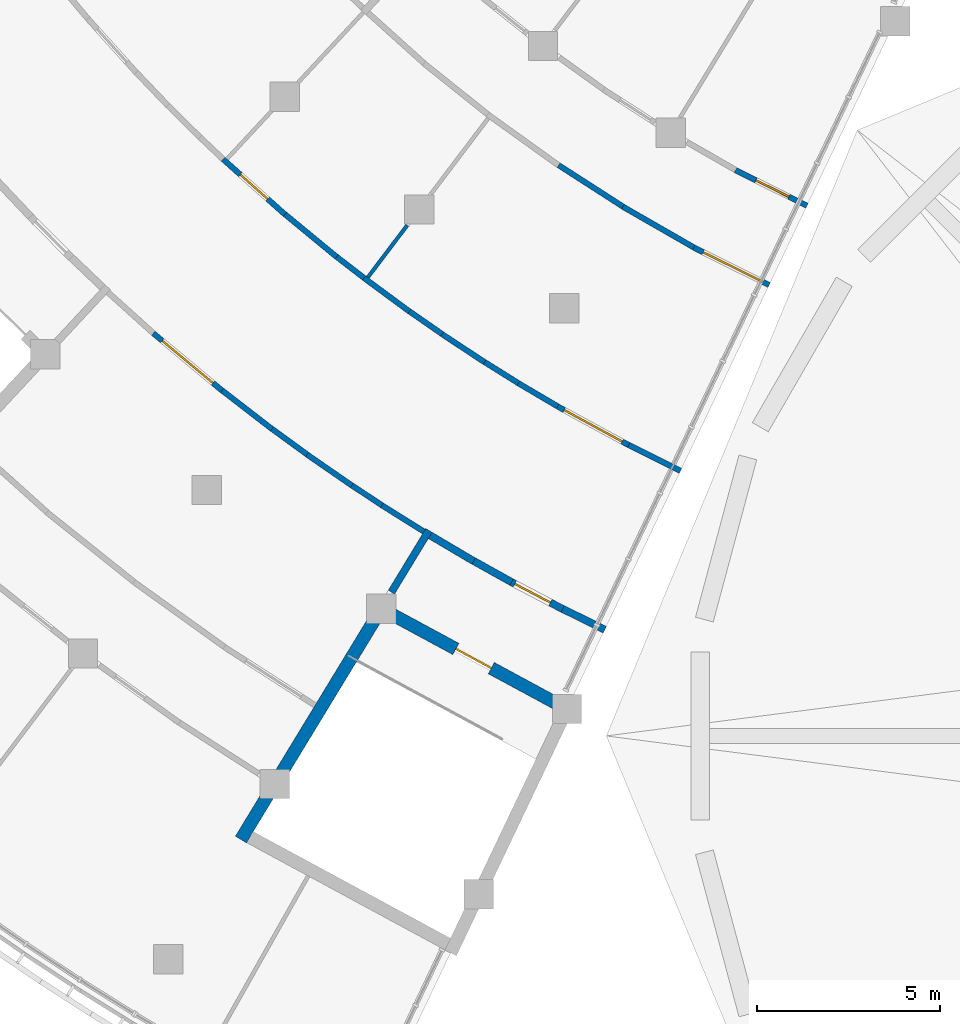
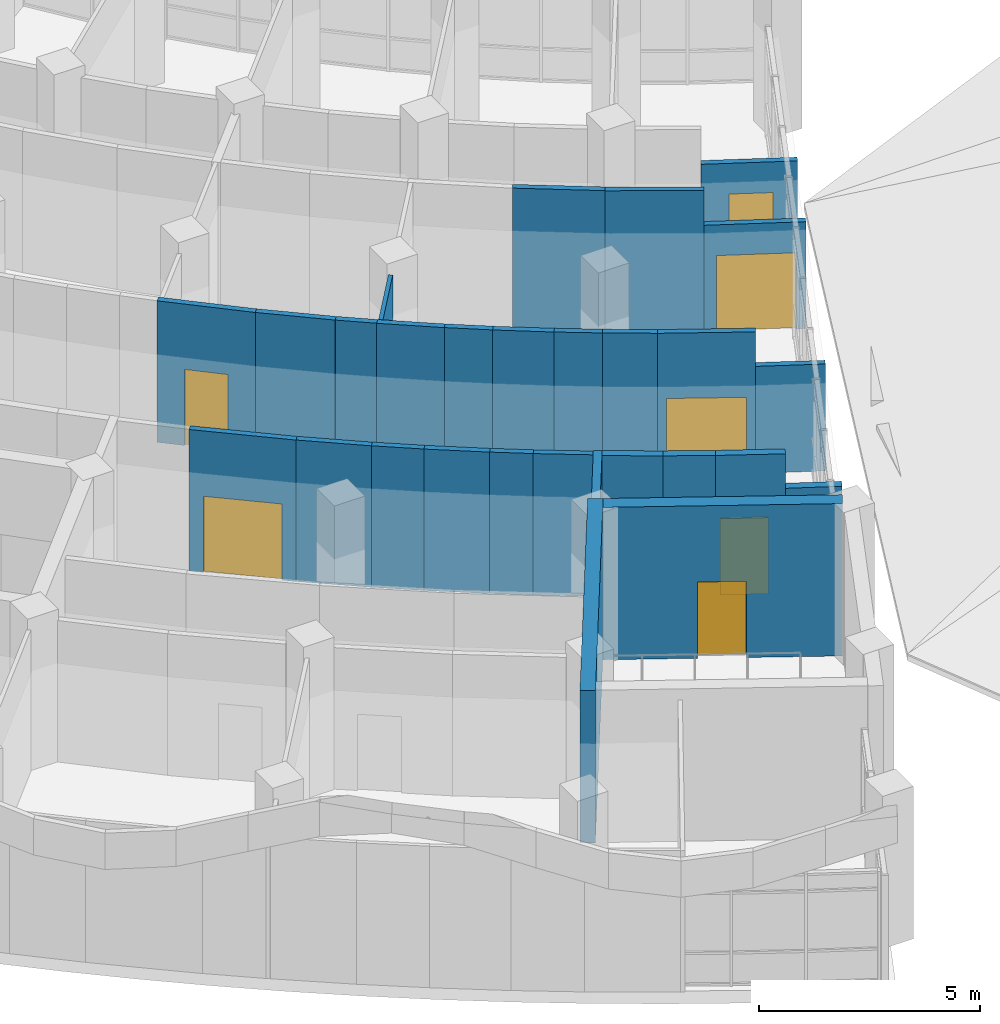
# One storey, part 64 of 137: 28 walls, 7 doors, 7 openings.
"""IFC4 building model written with IfcOpenShell, lengths in metres."""

from ifc_helpers import new_model, si_unit, direction, frame, frame_2d, origin, place, context, subcontext, project, spatial, rectangle, extrude, material, layer, layer_set, type_object, element, fill, save


model = new_model("IFC4")

# Units and contexts
model_context = context("Model", 3, precision=1e-05, world=origin(), true_north=direction((0.0, 1.0)))
body_context = subcontext(model_context, "Body", "Model", "MODEL_VIEW")
ifc_project = project(units=[si_unit("LENGTHUNIT", "METRE"), si_unit("AREAUNIT", "SQUARE_METRE"), si_unit("VOLUMEUNIT", "CUBIC_METRE"), si_unit("PLANEANGLEUNIT", "RADIAN"), si_unit("MASSUNIT", "GRAM", prefix="KILO")], contexts=[model_context])

# Site, building, storey
site_placement = place(None, origin())
site = spatial("IfcSite", under=ifc_project, at=site_placement, CompositionType="ELEMENT")
building_placement = place(site_placement, origin())
building = spatial("IfcBuilding", under=site, at=building_placement, Name="Bougainvillea Quay General Hospital", CompositionType="ELEMENT")
storey_placement = place(building_placement, frame((0.0, 0.0, 16.800048828125)))
storey = spatial("IfcBuildingStorey", under=building, at=storey_placement, Name="L03", CompositionType="ELEMENT", Elevation=16.800048828125)

# Wall
ifc_material_1 = material(Name="Gypsum board partition on steel studs", Category="steel")
ifc_layer_1 = layer(ifc_material_1, 0.10009765625)
ifc_layer_set_1 = layer_set([ifc_layer_1], Name="Gypsum board partition on steel studs")
wall_type_1 = type_object("IfcWallType", Name="Partition 100 Gypsum board partition EI 30", PredefinedType="PARTITIONING", material=ifc_layer_set_1)
wall_1_placement = place(storey_placement, frame((79.311767578125, 86.515380859375, 0.0), z_axis=(0.0, 0.0, 1.0), x_axis=(0.603588624137, 0.797295912954, 0.0)))
element("IfcWall", 1, at=wall_1_placement, inside=storey, type_object=wall_type_1, Name="Partition 100 mm EI 30", PredefinedType="PARTITIONING", context=body_context, shape_type="SweptSolid", body=[
    extrude(rectangle(XDim=1.7822265625, YDim=0.10009765625, at=frame_2d((0.89111328125, 0.0))), origin(), (0.0, 0.0, 1.0), 3.89990234375),
])

# Wall, opening, door
ifc_material_2 = material(Name="Gypsum board partition on steel studs, insulated", Category="steel")
ifc_layer_2 = layer(ifc_material_2, 0.14990234375)
ifc_layer_set_2 = layer_set([ifc_layer_2], Name="Gypsum board partition on steel studs, insulated")
wall_type_2 = type_object("IfcWallType", Name="Partition 150 Gypsum board partition EI 30", PredefinedType="PARTITIONING", material=ifc_layer_set_2)
wall_2_placement = place(storey_placement, frame((73.452392578125, 84.991943359375, 0.0), z_axis=(0.0, 0.0, 1.0), x_axis=(0.768531506517, -0.639811943849, 0.0)))
wall_2 = element("IfcWall", 2, at=wall_2_placement, inside=storey, type_object=wall_type_2, Name="Partition 150 mm EI 30", PredefinedType="PARTITIONING", context=body_context, shape_type="SweptSolid", body=[
    extrude(rectangle(XDim=2.450439453125, YDim=0.14990234375, at=frame_2d((1.22509765625, 0.0))), origin(), (0.0, 0.0, 1.0), 3.89990234375),
])
opening_1_placement = place(wall_2_placement, frame((0.3251953125, 0.0, 0.0)))
opening_1 = element("IfcOpeningElement", 3, at=opening_1_placement, cuts=wall_2, Name="Opening L03.153", PredefinedType="OPENING", context=body_context, shape_type="SweptSolid", body=[
    extrude(rectangle(XDim=1.800048828125, YDim=2.10009765625, at=frame_2d((0.89990234375, 1.050048828125))), frame((0.0, 0.0849609375, 0.0), z_axis=(0.0, -1.0, 0.0), x_axis=(1.0, 0.0, 0.0)), (0.0, 0.0, 1.0), 0.169921875),
])
ifc_material_3 = material(Name="Solid-core timber door leaves in steel frame", Category="steel")
door_type_1 = type_object("IfcDoorType", Name="Double leaf door 1800x2100", OperationType="DOUBLE_DOOR_SINGLE_SWING", PredefinedType="DOOR", material=ifc_material_3)
door_1_placement = place(opening_1_placement, origin())
door_1 = element("IfcDoor", 4, at=door_1_placement, inside=storey, type_object=door_type_1, Name="DT08 L03.153", OperationType="DOUBLE_DOOR_SINGLE_SWING", OverallHeight=2.10009765625, OverallWidth=1.800048828125, PredefinedType="DOOR", context=body_context, shape_type="SweptSolid", body=[
    extrude(rectangle(XDim=1.800048828125, YDim=2.10009765625, at=frame_2d((0.89990234375, 1.050048828125))), frame((0.0, 0.02490234375, 0.0), z_axis=(0.0, -1.0, 0.0), x_axis=(1.0, 0.0, 0.0)), (0.0, 0.0, 1.0), 0.050048828125),
])
fill(opening_1, door_1)

wall_3_placement = place(storey_placement, frame((88.200927734375, 87.331298828125, 0.0), z_axis=(0.0, 0.0, 1.0), x_axis=(0.895335597875, -0.445392149883, 0.0)))
wall_3 = element("IfcWall", 5, at=wall_3_placement, inside=storey, type_object=wall_type_2, Name="Partition 150 mm EI 30", PredefinedType="PARTITIONING", context=body_context, shape_type="SweptSolid", body=[
    extrude(rectangle(XDim=2.306640625, YDim=0.14990234375, at=frame_2d((1.1533203125, 0.0))), origin(), (0.0, 0.0, 1.0), 2.94677734375),
])
opening_2_placement = place(wall_3_placement, frame((0.290771484375, 0.0, 0.0)))
opening_2 = element("IfcOpeningElement", 6, at=opening_2_placement, cuts=wall_3, Name="Opening L03.142", PredefinedType="OPENING", context=body_context, shape_type="SweptSolid", body=[
    extrude(rectangle(XDim=1.800048828125, YDim=2.10009765625, at=frame_2d((0.89990234375, 1.050048828125))), frame((0.0, 0.0849609375, 0.0), z_axis=(0.0, -1.0, 0.0), x_axis=(1.0, 0.0, 0.0)), (0.0, 0.0, 1.0), 0.169921875),
])
door_2_placement = place(opening_2_placement, origin())
door_2 = element("IfcDoor", 7, at=door_2_placement, inside=storey, type_object=door_type_1, Name="DT08 L03.142", OperationType="DOUBLE_DOOR_SINGLE_SWING", OverallHeight=2.10009765625, OverallWidth=1.800048828125, PredefinedType="DOOR", context=body_context, shape_type="SweptSolid", body=[
    extrude(rectangle(XDim=1.800048828125, YDim=2.10009765625, at=frame_2d((0.89990234375, 1.050048828125))), frame((0.0, 0.02490234375, 0.0), z_axis=(0.0, -1.0, 0.0), x_axis=(1.0, 0.0, 0.0)), (0.0, 0.0, 1.0), 0.050048828125),
])
fill(opening_2, door_2)

# Walls
wall_4_placement = place(storey_placement, frame((86.26806640625, 88.4462890625, 0.0), z_axis=(0.0, 0.0, 1.0), x_axis=(0.867212921502, -0.497937494852, 0.0)))
element("IfcWall", 8, at=wall_4_placement, inside=storey, type_object=wall_type_2, Name="Partition 150 mm EI 30", PredefinedType="PARTITIONING", context=body_context, shape_type="SweptSolid", body=[
    extrude(rectangle(XDim=2.2353515625, YDim=0.14990234375, at=frame_2d((1.11767578125, 0.0))), origin(), (0.0, 0.0, 1.0), 3.89990234375),
])
wall_5_placement = place(storey_placement, frame((84.51708984375, 89.577392578125, 0.0), z_axis=(0.0, 0.0, 1.0), x_axis=(0.840935250807, -0.541135753717, 0.0)))
element("IfcWall", 9, at=wall_5_placement, inside=storey, type_object=wall_type_2, Name="Partition 150 mm EI 30", PredefinedType="PARTITIONING", context=body_context, shape_type="SweptSolid", body=[
    extrude(rectangle(XDim=2.087890625, YDim=0.14990234375, at=frame_2d((1.0439453125, 0.0))), origin(), (0.0, 0.0, 1.0), 3.89990234375),
])

# Wall, opening, door
wall_6_placement = place(storey_placement, frame((75.360107421875, 89.739990234375, 0.0), z_axis=(0.0, 0.0, 1.0), x_axis=(0.746361982095, -0.665540225443, 0.0)))
wall_6 = element("IfcWall", 10, at=wall_6_placement, inside=storey, type_object=wall_type_2, Name="Partition 150 mm EI 30", PredefinedType="PARTITIONING", context=body_context, shape_type="SweptSolid", body=[
    extrude(rectangle(XDim=2.265625, YDim=0.14990234375, at=frame_2d((1.1328125, 0.0))), origin(), (0.0, 0.0, 1.0), 3.89990234375),
])
opening_3_placement = place(wall_6_placement, frame((0.6328125, 0.0, 0.0)))
opening_3 = element("IfcOpeningElement", 11, at=opening_3_placement, cuts=wall_6, Name="Opening L03.171", PredefinedType="OPENING", context=body_context, shape_type="SweptSolid", body=[
    extrude(rectangle(XDim=1.0, YDim=2.10009765625, at=frame_2d((0.5, 1.050048828125))), frame((0.0, 0.0849609375, 0.0), z_axis=(0.0, -1.0, 0.0), x_axis=(1.0, 0.0, 0.0)), (0.0, 0.0, 1.0), 0.169921875),
])
ifc_material_4 = material(Name="Solid-core timber door leaf in steel frame", Category="steel")
door_type_2 = type_object("IfcDoorType", Name="Single leaf door 1000x2100 FD30S", OperationType="NOTDEFINED", PredefinedType="DOOR", material=ifc_material_4)
door_3_placement = place(opening_3_placement, origin())
door_3 = element("IfcDoor", 12, at=door_3_placement, inside=storey, type_object=door_type_2, Name="DT15 L03.171", OperationType="SINGLE_SWING_LEFT", OverallHeight=2.10009765625, OverallWidth=1.0, PredefinedType="DOOR", context=body_context, shape_type="SweptSolid", body=[
    extrude(rectangle(XDim=1.0, YDim=2.10009765625, at=frame_2d((0.5, 1.050048828125))), frame((0.0, 0.02490234375, 0.0), z_axis=(0.0, -1.0, 0.0), x_axis=(1.0, 0.0, 0.0)), (0.0, 0.0, 1.0), 0.050048828125),
])
fill(opening_3, door_3)

wall_7_placement = place(storey_placement, frame((89.343017578125, 89.4423828125, 0.0), z_axis=(0.0, 0.0, 1.0), x_axis=(0.895274815557, -0.445514314731, 0.0)))
wall_7 = element("IfcWall", 13, at=wall_7_placement, inside=storey, type_object=wall_type_2, Name="Partition 150 mm EI 30", PredefinedType="PARTITIONING", context=body_context, shape_type="SweptSolid", body=[
    extrude(rectangle(XDim=2.184814453125, YDim=0.14990234375, at=frame_2d((1.09228515625, 0.0))), origin(), (0.0, 0.0, 1.0), 2.94677734375),
])
opening_4_placement = place(wall_7_placement, frame((0.6298828125, 0.0, 0.0)))
opening_4 = element("IfcOpeningElement", 14, at=opening_4_placement, cuts=wall_7, Name="Opening L03.172", PredefinedType="OPENING", context=body_context, shape_type="SweptSolid", body=[
    extrude(rectangle(XDim=1.0, YDim=2.10009765625, at=frame_2d((0.5, 1.050048828125))), frame((0.0, 0.0849609375, 0.0), z_axis=(0.0, -1.0, 0.0), x_axis=(1.0, 0.0, 0.0)), (0.0, 0.0, 1.0), 0.169921875),
])
door_4_placement = place(opening_4_placement, origin())
door_4 = element("IfcDoor", 15, at=door_4_placement, inside=storey, type_object=door_type_2, Name="DT15 L03.172", OperationType="SINGLE_SWING_RIGHT", OverallHeight=2.10009765625, OverallWidth=1.0, PredefinedType="DOOR", context=body_context, shape_type="SweptSolid", body=[
    extrude(rectangle(XDim=1.0, YDim=2.10009765625, at=frame_2d((0.5, 1.050048828125))), frame((0.0, 0.02490234375, 0.0), z_axis=(0.0, -1.0, 0.0), x_axis=(1.0, 0.0, 0.0)), (0.0, 0.0, 1.0), 0.050048828125),
])
fill(opening_4, door_4)

wall_8_placement = place(storey_placement, frame((84.489013671875, 82.992919921875, 0.0), z_axis=(0.0, 0.0, 1.0), x_axis=(0.878602388498, -0.47755402095, 0.0)))
wall_8 = element("IfcWall", 16, at=wall_8_placement, inside=storey, type_object=wall_type_2, Name="Partition 150 mm EI 30", PredefinedType="PARTITIONING", context=body_context, shape_type="SweptSolid", body=[
    extrude(rectangle(XDim=2.214599609375, YDim=0.14990234375, at=frame_2d((1.107421875, 0.0))), origin(), (0.0, 0.0, 1.0), 3.89990234375),
])
opening_5_placement = place(wall_8_placement, frame((0.207275390625, 0.0, 0.0)))
opening_5 = element("IfcOpeningElement", 17, at=opening_5_placement, cuts=wall_8, Name="Opening L03.156", PredefinedType="OPENING", context=body_context, shape_type="SweptSolid", body=[
    extrude(rectangle(XDim=1.800048828125, YDim=2.10009765625, at=frame_2d((0.89990234375, 1.050048828125))), frame((0.0, 0.0849609375, 0.0), z_axis=(0.0, -1.0, 0.0), x_axis=(1.0, 0.0, 0.0)), (0.0, 0.0, 1.0), 0.169921875),
])
door_5_placement = place(opening_5_placement, frame((1.800048828125, 0.0, 0.0), z_axis=(0.0, 0.0, 1.0), x_axis=(-1.0, 0.0, 0.0)))
door_5 = element("IfcDoor", 18, at=door_5_placement, inside=storey, type_object=door_type_1, Name="DT08 L03.156", OperationType="DOUBLE_DOOR_SINGLE_SWING", OverallHeight=2.10009765625, OverallWidth=1.800048828125, PredefinedType="DOOR", context=body_context, shape_type="SweptSolid", body=[
    extrude(rectangle(XDim=1.800048828125, YDim=2.10009765625, at=frame_2d((0.89990234375, 1.050048828125))), frame((0.0, 0.02490234375, 0.0), z_axis=(0.0, -1.0, 0.0), x_axis=(1.0, 0.0, 0.0)), (0.0, 0.0, 1.0), 0.050048828125),
])
fill(opening_5, door_5)

# Walls
wall_9_placement = place(storey_placement, frame((77.05078125, 88.236083984375, 0.0), z_axis=(0.0, 0.0, 1.0), x_axis=(0.771517511576, -0.636208086502, 0.0)))
element("IfcWall", 19, at=wall_9_placement, inside=storey, type_object=wall_type_2, Name="Partition 150 mm EI 30", PredefinedType="PARTITIONING", context=body_context, shape_type="SweptSolid", body=[
    extrude(rectangle(XDim=1.827880859375, YDim=0.14990234375, at=frame_2d((0.9140625, 0.0))), origin(), (0.0, 0.0, 1.0), 3.89990234375),
])
wall_10_placement = place(storey_placement, frame((75.335205078125, 83.427734375, 0.0), z_axis=(0.0, 0.0, 1.0), x_axis=(0.791538398042, -0.611119435483, 0.0)))
element("IfcWall", 20, at=wall_10_placement, inside=storey, type_object=wall_type_2, Name="Partition 150 mm EI 30", PredefinedType="PARTITIONING", context=body_context, shape_type="SweptSolid", body=[
    extrude(rectangle(XDim=1.7158203125, YDim=0.14990234375, at=frame_2d((0.85791015625, 0.0))), origin(), (0.0, 0.0, 1.0), 3.89990234375),
])
wall_11_placement = place(storey_placement, frame((86.433837890625, 81.938720703125, 0.0), z_axis=(0.0, 0.0, 1.0), x_axis=(0.894365374208, -0.447337207728, 0.0)))
element("IfcWall", 21, at=wall_11_placement, inside=storey, type_object=wall_type_2, Name="Partition 150 mm EI 30", PredefinedType="PARTITIONING", context=body_context, shape_type="SweptSolid", body=[
    extrude(rectangle(XDim=1.580078125, YDim=0.14990234375, at=frame_2d((0.7900390625, 0.0))), origin(), (0.0, 0.0, 1.0), 2.94677734375),
])
wall_12_placement = place(storey_placement, frame((79.20556640625, 86.49951171875, 0.0), z_axis=(0.0, 0.0, 1.0), x_axis=(0.804960127747, -0.593328907721, 0.0)))
element("IfcWall", 22, at=wall_12_placement, inside=storey, type_object=wall_type_2, Name="Partition 150 mm EI 30", PredefinedType="PARTITIONING", context=body_context, shape_type="SweptSolid", body=[
    extrude(rectangle(XDim=1.538818359375, YDim=0.14990234375, at=frame_2d((0.76953125, 0.0))), origin(), (0.0, 0.0, 1.0), 3.89990234375),
])
wall_13_placement = place(storey_placement, frame((79.6953125, 80.294921875, 0.0), z_axis=(0.0, 0.0, 1.0), x_axis=(0.847541618724, -0.530728936964, 0.0)))
element("IfcWall", 23, at=wall_13_placement, inside=storey, type_object=wall_type_2, Name="Partition 150 mm EI 30", PredefinedType="PARTITIONING", context=body_context, shape_type="SweptSolid", body=[
    extrude(rectangle(XDim=1.3525390625, YDim=0.14990234375, at=frame_2d((0.67626953125, 0.0))), origin(), (0.0, 0.0, 1.0), 3.89990234375),
])
wall_14_placement = place(storey_placement, frame((77.6533203125, 81.6796875, 0.0), z_axis=(0.0, 0.0, 1.0), x_axis=(0.822646640465, -0.568552992194, 0.0)))
element("IfcWall", 24, at=wall_14_placement, inside=storey, type_object=wall_type_2, Name="Partition 150 mm EI 30", PredefinedType="PARTITIONING", context=body_context, shape_type="SweptSolid", body=[
    extrude(rectangle(XDim=1.48828125, YDim=0.14990234375, at=frame_2d((0.744140625, 0.0))), origin(), (0.0, 0.0, 1.0), 3.89990234375),
])
wall_15_placement = place(storey_placement, frame((76.693115234375, 82.382080078125, 0.0), z_axis=(0.0, 0.0, 1.0), x_axis=(0.808088805309, -0.589060678312, 0.0)))
element("IfcWall", 25, at=wall_15_placement, inside=storey, type_object=wall_type_2, Name="Partition 150 mm EI 30", PredefinedType="PARTITIONING", context=body_context, shape_type="SweptSolid", body=[
    extrude(rectangle(XDim=1.191650390625, YDim=0.14990234375, at=frame_2d((0.595703125, 0.0))), origin(), (0.0, 0.0, 1.0), 3.89990234375),
])
wall_16_placement = place(storey_placement, frame((81.33837890625, 84.96533203125, 0.0), z_axis=(0.0, 0.0, 1.0), x_axis=(0.834958204617, -0.550313362134, 0.0)))
element("IfcWall", 26, at=wall_16_placement, inside=storey, type_object=wall_type_2, Name="Partition 150 mm EI 30", PredefinedType="PARTITIONING", context=body_context, shape_type="SweptSolid", body=[
    extrude(rectangle(XDim=1.389404296875, YDim=0.14990234375, at=frame_2d((0.69482421875, 0.0))), origin(), (0.0, 0.0, 1.0), 3.89990234375),
])
wall_17_placement = place(storey_placement, frame((83.42236328125, 83.6240234375, 0.0), z_axis=(0.0, 0.0, 1.0), x_axis=(0.861696583626, -0.507423883718, 0.0)))
element("IfcWall", 27, at=wall_17_placement, inside=storey, type_object=wall_type_2, Name="Partition 150 mm EI 30", PredefinedType="PARTITIONING", context=body_context, shape_type="SweptSolid", body=[
    extrude(rectangle(XDim=1.24169921875, YDim=0.14990234375, at=frame_2d((0.620849609375, 0.0))), origin(), (0.0, 0.0, 1.0), 3.89990234375),
])
for number, where, z_axis, x_axis, name in (
    (28, (82.498046875, 84.203125, 0.0), (0.0, 0.0, 1.0), (0.848412292862, -0.529335981509, 0.0), "Partition 150 mm EI 30"),
    (29, (80.44384765625, 85.58935546875, 0.0), (0.0, 0.0, 1.0), (0.821096473197, -0.570789437274, 0.0), "Partition 150 mm EI 30"),
):
    element("IfcWall", number, at=place(storey_placement, frame(where, z_axis=z_axis, x_axis=x_axis)), inside=storey, type_object=wall_type_2, Name=name, PredefinedType="PARTITIONING", context=body_context, shape_type="SweptSolid", body=[
        extrude(rectangle(XDim=1.092529296875, YDim=0.14990234375, at=frame_2d((0.54638671875, 0.0))), origin(), (0.0, 0.0, 1.0), 3.89990234375),
    ])
wall_18_placement = place(storey_placement, frame((78.877197265625, 80.835693359375, 0.0), z_axis=(0.0, 0.0, 1.0), x_axis=(0.835209839134, -0.549931381733, 0.0)))
element("IfcWall", 30, at=wall_18_placement, inside=storey, type_object=wall_type_2, Name="Partition 150 mm EI 30", PredefinedType="PARTITIONING", context=body_context, shape_type="SweptSolid", body=[
    extrude(rectangle(XDim=0.982421875, YDim=0.14990234375, at=frame_2d((0.4912109375, 0.0))), origin(), (0.0, 0.0, 1.0), 3.89990234375),
])
wall_19_placement = place(storey_placement, frame((78.46044921875, 87.07666015625, 0.0), z_axis=(0.0, 0.0, 1.0), x_axis=(0.791671493317, -0.610947008069, 0.0)))
element("IfcWall", 31, at=wall_19_placement, inside=storey, type_object=wall_type_2, Name="Partition 150 mm EI 30", PredefinedType="PARTITIONING", context=body_context, shape_type="SweptSolid", body=[
    extrude(rectangle(XDim=0.9443359375, YDim=0.14990234375, at=frame_2d((0.47216796875, 0.0))), origin(), (0.0, 0.0, 1.0), 3.89990234375),
])
ifc_material_5 = material(Name="Fire-rated autoclaved aerated block wall, plastered")
ifc_layer_3 = layer(ifc_material_5, 0.199951171875)
ifc_layer_set_3 = layer_set([ifc_layer_3], Name="Fire-rated autoclaved aerated block wall, plastered")
wall_type_3 = type_object("IfcWallType", Name="Partition 200 Fire-rated autoclaved aerated block wall EI 120", PredefinedType="SOLIDWALL", material=ifc_layer_set_3)
wall_20_placement = place(storey_placement, frame((79.955322265625, 77.923828125, 0.0), z_axis=(0.0, 0.0, 1.0), x_axis=(0.519675881268, 0.85436349315, 0.0)))
element("IfcWall", 32, at=wall_20_placement, inside=storey, type_object=wall_type_3, Name="Partition 200 mm EI 120", PredefinedType="SOLIDWALL", context=body_context, shape_type="SweptSolid", body=[
    extrude(rectangle(XDim=1.9716796875, YDim=0.199951171875, at=frame_2d((0.98583984375, 0.0))), origin(), (0.0, 0.0, 1.0), 3.89990234375),
])

# Wall, opening, door
wall_21_placement = place(storey_placement, frame((83.232421875, 78.196533203125, 0.0), z_axis=(0.0, 0.0, 1.0), x_axis=(0.885510751813, -0.464618885134, 0.0)))
wall_21 = element("IfcWall", 33, at=wall_21_placement, inside=storey, type_object=wall_type_3, Name="Partition 200 mm EI 120", PredefinedType="SOLIDWALL", context=body_context, shape_type="SweptSolid", body=[
    extrude(rectangle(XDim=1.580078125, YDim=0.199951171875, at=frame_2d((0.7900390625, 0.0))), origin(), (0.0, 0.0, 1.0), 3.89990234375),
])
opening_6_placement = place(wall_21_placement, frame((0.10009765625, 0.0, 0.0)))
opening_6 = element("IfcOpeningElement", 34, at=opening_6_placement, cuts=wall_21, Name="Opening L03.228", PredefinedType="OPENING", context=body_context, shape_type="SweptSolid", body=[
    extrude(rectangle(XDim=1.10009765625, YDim=2.10009765625, at=frame_2d((0.550048828125, 1.050048828125))), frame((0.0, 0.10986328125, 0.0), z_axis=(0.0, -1.0, 0.0), x_axis=(1.0, 0.0, 0.0)), (0.0, 0.0, 1.0), 0.219970703125),
])
ifc_material_6 = material(Name="Steel fire door leaf in steel frame", Category="steel")
door_type_3 = type_object("IfcDoorType", Name="Steel single leaf door 1100x2100 FD60", OperationType="NOTDEFINED", PredefinedType="DOOR", material=ifc_material_6)
door_6_placement = place(opening_6_placement, frame((1.10009765625, 0.0, 0.0), z_axis=(0.0, 0.0, 1.0), x_axis=(-1.0, 0.0, 0.0)))
door_6 = element("IfcDoor", 35, at=door_6_placement, inside=storey, type_object=door_type_3, Name="DT04 L03.228", OperationType="SINGLE_SWING_RIGHT", OverallHeight=2.10009765625, OverallWidth=1.10009765625, PredefinedType="DOOR", context=body_context, shape_type="SweptSolid", body=[
    extrude(rectangle(XDim=1.10009765625, YDim=2.10009765625, at=frame_2d((0.550048828125, 1.050048828125))), frame((0.0, 0.02490234375, 0.0), z_axis=(0.0, -1.0, 0.0), x_axis=(1.0, 0.0, 0.0)), (0.0, 0.0, 1.0), 0.050048828125),
])
fill(opening_6, door_6)

# Walls
wall_22_placement = place(storey_placement, frame((81.01513671875, 79.471435546875, 0.0), z_axis=(0.0, 0.0, 1.0), x_axis=(0.860926528214, -0.508729312127, 0.0)))
element("IfcWall", 36, at=wall_22_placement, inside=storey, type_object=wall_type_3, Name="Partition 200 mm EI 120", PredefinedType="SOLIDWALL", context=body_context, shape_type="SweptSolid", body=[
    extrude(rectangle(XDim=1.378662109375, YDim=0.199951171875, at=frame_2d((0.689453125, 0.0))), origin(), (0.0, 0.0, 1.0), 3.89990234375),
])
wall_23_placement = place(storey_placement, frame((84.630615234375, 77.4658203125, 0.0), z_axis=(0.0, 0.0, 1.0), x_axis=(0.896852237177, -0.442330266509, 0.0)))
element("IfcWall", 37, at=wall_23_placement, inside=storey, type_object=wall_type_3, Name="Partition 200 mm EI 120", PredefinedType="SOLIDWALL", context=body_context, shape_type="SweptSolid", body=[
    extrude(rectangle(XDim=1.281494140625, YDim=0.199951171875, at=frame_2d((0.640625, 0.0))), origin(), (0.0, 0.0, 1.0), 2.94677734375),
])
wall_24_placement = place(storey_placement, frame((82.201171875, 78.773681640625, 0.0), z_axis=(0.0, 0.0, 1.0), x_axis=(0.873621822139, -0.486605499232, 0.0)))
element("IfcWall", 38, at=wall_24_placement, inside=storey, type_object=wall_type_3, Name="Partition 200 mm EI 120", PredefinedType="SOLIDWALL", context=body_context, shape_type="SweptSolid", body=[
    extrude(rectangle(XDim=1.18408203125, YDim=0.199951171875, at=frame_2d((0.592041015625, 0.0))), origin(), (0.0, 0.0, 1.0), 3.89990234375),
])
ifc_material_7 = material(Name="Concrete C40", Category="concrete")
ifc_layer_4 = layer(ifc_material_7, 0.35009765625)
ifc_layer_set_4 = layer_set([ifc_layer_4], Name="Concrete C40")
wall_type_4 = type_object("IfcWallType", Name="RC SHEAR WALL 350 C40", PredefinedType="SHEAR", material=ifc_layer_set_4)
wall_25_placement = place(storey_placement, frame((75.84814453125, 71.172607421875, 0.0), z_axis=(0.0, 0.0, 1.0), x_axis=(0.51973149438, 0.854329663391, 0.0)))
element("IfcWall", 39, at=wall_25_placement, inside=storey, type_object=wall_type_4, Name="Shear wall L03", PredefinedType="SHEAR", context=body_context, shape_type="SweptSolid", body=[
    extrude(rectangle(XDim=7.5498046875, YDim=0.35009765625, at=frame_2d((3.77490234375, 0.0))), origin(), (0.0, 0.0, 1.0), 4.199951171875),
])

# Wall, opening, door
wall_26_placement = place(storey_placement, frame((84.593017578125, 74.816162109375, 0.0), z_axis=(0.0, 0.0, 1.0), x_axis=(-0.879585553739, 0.475740742058, 0.0)))
wall_26 = element("IfcWall", 40, at=wall_26_placement, inside=storey, type_object=wall_type_4, Name="Shear wall L03", PredefinedType="SHEAR", context=body_context, shape_type="SweptSolid", body=[
    extrude(rectangle(XDim=5.409423828125, YDim=0.35009765625, at=frame_2d((2.70458984375, 0.0))), origin(), (0.0, 0.0, 1.0), 4.199951171875),
])
opening_7_placement = place(wall_26_placement, frame((2.173828125, 0.0, 0.0)))
opening_7 = element("IfcOpeningElement", 41, at=opening_7_placement, cuts=wall_26, Name="Opening L03.227", PredefinedType="OPENING", context=body_context, shape_type="SweptSolid", body=[
    extrude(rectangle(XDim=1.10009765625, YDim=2.10009765625, at=frame_2d((0.550048828125, 1.050048828125))), frame((0.0, 0.18505859375, 0.0), z_axis=(0.0, -1.0, 0.0), x_axis=(1.0, 0.0, 0.0)), (0.0, 0.0, 1.0), 0.3701171875),
])
door_7_placement = place(opening_7_placement, origin())
door_7 = element("IfcDoor", 42, at=door_7_placement, inside=storey, type_object=door_type_3, Name="DT04 L03.227", OperationType="SINGLE_SWING_RIGHT", OverallHeight=2.10009765625, OverallWidth=1.10009765625, PredefinedType="DOOR", context=body_context, shape_type="SweptSolid", body=[
    extrude(rectangle(XDim=1.10009765625, YDim=2.10009765625, at=frame_2d((0.550048828125, 1.050048828125))), frame((0.0, 0.02490234375, 0.0), z_axis=(0.0, -1.0, 0.0), x_axis=(1.0, 0.0, 0.0)), (0.0, 0.0, 1.0), 0.050048828125),
])
fill(opening_7, door_7)

save(model, "model.ifc")
